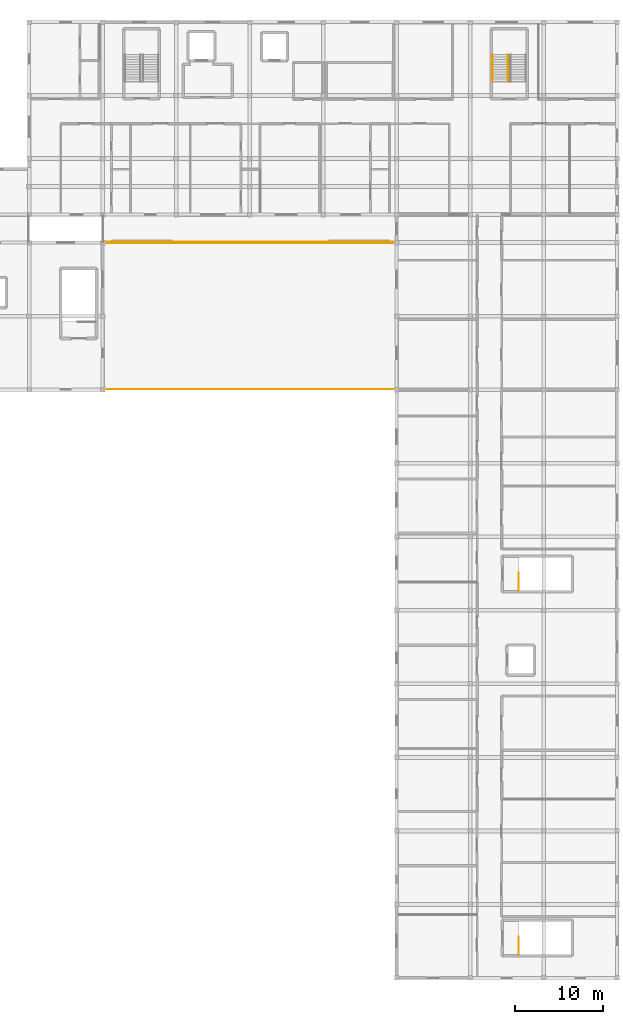
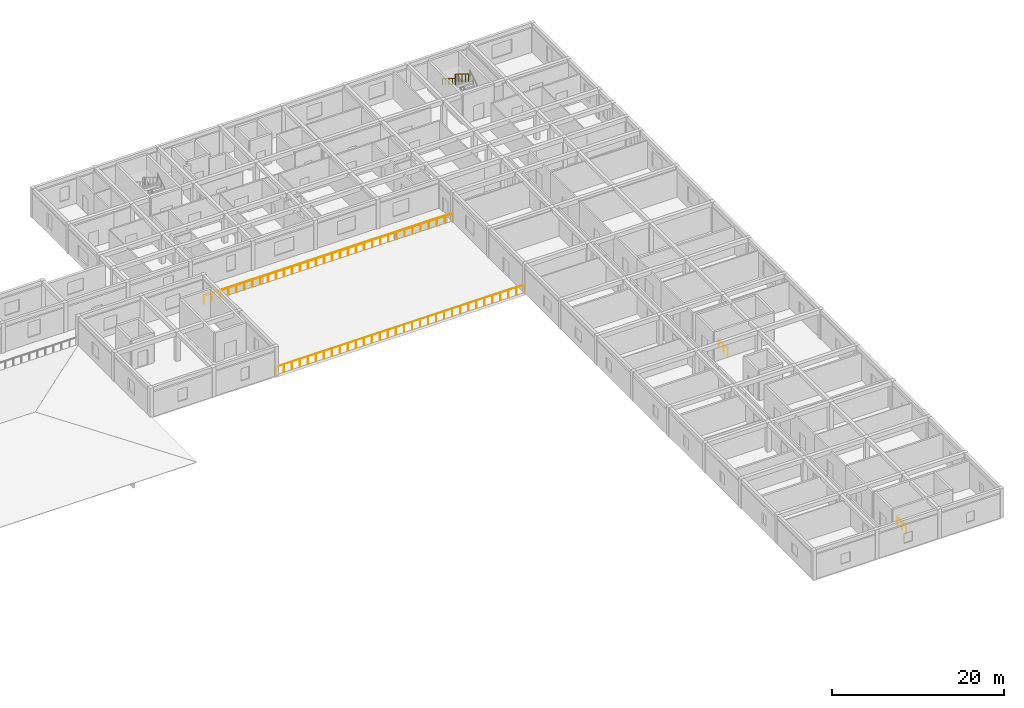
# One storey, part 27 of 28: 7 railings.
"""IFC4 building model written with IfcOpenShell, lengths in metres."""

from ifc_helpers import new_model, si_unit, direction, frame, origin, origin_2d, place, context, subcontext, project, spatial, circle, extrude, material, type_object, element, save


model = new_model("IFC4")

# Units and contexts
model_context = context("Model", 3, precision=1e-05, world=origin(), true_north=direction((0.0, 1.0)))
body_context = subcontext(model_context, "Body", "Model", "MODEL_VIEW")
ifc_project = project(units=[si_unit("LENGTHUNIT", "METRE"), si_unit("AREAUNIT", "SQUARE_METRE"), si_unit("VOLUMEUNIT", "CUBIC_METRE"), si_unit("PLANEANGLEUNIT", "RADIAN"), si_unit("MASSUNIT", "GRAM", prefix="KILO")], contexts=[model_context])

# Site, building, storey
site_placement = place(None, origin())
site = spatial("IfcSite", under=ifc_project, at=site_placement, CompositionType="ELEMENT")
building_placement = place(site_placement, origin())
building = spatial("IfcBuilding", under=site, at=building_placement, Name="Varncliffe General Hospital", CompositionType="ELEMENT")
storey_placement = place(building_placement, frame((0.0, 0.0, 24.60009765625)))
storey = spatial("IfcBuildingStorey", under=building, at=storey_placement, Name="L05", CompositionType="ELEMENT", Elevation=24.60009765625)

# Railings
ifc_material_1 = material(Name="Powder-coated wrought-iron and bronze balustrade", Category="steel")
railing_type_1 = type_object("IfcRailingType", Name="Perimeter Safety Guardrail GR27", PredefinedType="GUARDRAIL", material=ifc_material_1)
railing_1_placement = place(storey_placement, frame((117.679931640625, 82.860107421875, 0.0)))
element("IfcRailing", 1, at=railing_1_placement, inside=storey, type_object=railing_type_1, Name="L05 Emergency Rooftop Helipad Deck Safety Guardrail 7", PredefinedType="GUARDRAIL", context=body_context, shape_type="SweptSolid", body=[
    extrude(circle(Radius=0.02392578125, at=origin_2d()), frame((0.0, 0.0, 1.09619140625), z_axis=(1.0, 0.0, 0.0), x_axis=(0.0, 1.0, 0.0)), (0.0, 0.0, 1.0), 33.440185546875),
    extrude(circle(Radius=0.02099609375, at=origin_2d()), origin(), (0.0, 0.0, 1.0), 1.072021484375),
    extrude(circle(Radius=0.02099609375, at=origin_2d()), frame((1.07861328125, 0.0, 0.0)), (0.0, 0.0, 1.0), 1.072021484375),
    extrude(circle(Radius=0.02099609375, at=origin_2d()), frame((2.157470703125, 0.0, 0.0)), (0.0, 0.0, 1.0), 1.072021484375),
    extrude(circle(Radius=0.02099609375, at=origin_2d()), frame((3.236083984375, 0.0, 0.0)), (0.0, 0.0, 1.0), 1.072021484375),
    extrude(circle(Radius=0.02099609375, at=origin_2d()), frame((4.31494140625, 0.0, 0.0)), (0.0, 0.0, 1.0), 1.072021484375),
    extrude(circle(Radius=0.02099609375, at=origin_2d()), frame((5.3935546875, 0.0, 0.0)), (0.0, 0.0, 1.0), 1.072021484375),
    extrude(circle(Radius=0.02099609375, at=origin_2d()), frame((6.472412109375, 0.0, 0.0)), (0.0, 0.0, 1.0), 1.072021484375),
    extrude(circle(Radius=0.02099609375, at=origin_2d()), frame((7.551025390625, 0.0, 0.0)), (0.0, 0.0, 1.0), 1.072021484375),
    extrude(circle(Radius=0.02099609375, at=origin_2d()), frame((8.629638671875, 0.0, 0.0)), (0.0, 0.0, 1.0), 1.072021484375),
    extrude(circle(Radius=0.02099609375, at=origin_2d()), frame((9.70849609375, 0.0, 0.0)), (0.0, 0.0, 1.0), 1.072021484375),
    extrude(circle(Radius=0.02099609375, at=origin_2d()), frame((10.787109375, 0.0, 0.0)), (0.0, 0.0, 1.0), 1.072021484375),
    extrude(circle(Radius=0.02099609375, at=origin_2d()), frame((11.865966796875, 0.0, 0.0)), (0.0, 0.0, 1.0), 1.072021484375),
    extrude(circle(Radius=0.02099609375, at=origin_2d()), frame((12.944580078125, 0.0, 0.0)), (0.0, 0.0, 1.0), 1.072021484375),
    extrude(circle(Radius=0.02099609375, at=origin_2d()), frame((14.023193359375, 0.0, 0.0)), (0.0, 0.0, 1.0), 1.072021484375),
    extrude(circle(Radius=0.02099609375, at=origin_2d()), frame((15.10205078125, 0.0, 0.0)), (0.0, 0.0, 1.0), 1.072021484375),
    extrude(circle(Radius=0.02099609375, at=origin_2d()), frame((16.1806640625, 0.0, 0.0)), (0.0, 0.0, 1.0), 1.072021484375),
    extrude(circle(Radius=0.02099609375, at=origin_2d()), frame((17.259521484375, 0.0, 0.0)), (0.0, 0.0, 1.0), 1.072021484375),
    extrude(circle(Radius=0.02099609375, at=origin_2d()), frame((18.338134765625, 0.0, 0.0)), (0.0, 0.0, 1.0), 1.072021484375),
    extrude(circle(Radius=0.02099609375, at=origin_2d()), frame((19.4169921875, 0.0, 0.0)), (0.0, 0.0, 1.0), 1.072021484375),
    extrude(circle(Radius=0.02099609375, at=origin_2d()), frame((20.49560546875, 0.0, 0.0)), (0.0, 0.0, 1.0), 1.072021484375),
    extrude(circle(Radius=0.02099609375, at=origin_2d()), frame((21.57421875, 0.0, 0.0)), (0.0, 0.0, 1.0), 1.072021484375),
    extrude(circle(Radius=0.02099609375, at=origin_2d()), frame((22.653076171875, 0.0, 0.0)), (0.0, 0.0, 1.0), 1.072021484375),
    extrude(circle(Radius=0.02099609375, at=origin_2d()), frame((23.731689453125, 0.0, 0.0)), (0.0, 0.0, 1.0), 1.072021484375),
    extrude(circle(Radius=0.02099609375, at=origin_2d()), frame((24.810546875, 0.0, 0.0)), (0.0, 0.0, 1.0), 1.072021484375),
    extrude(circle(Radius=0.02099609375, at=origin_2d()), frame((25.88916015625, 0.0, 0.0)), (0.0, 0.0, 1.0), 1.072021484375),
    extrude(circle(Radius=0.02099609375, at=origin_2d()), frame((26.9677734375, 0.0, 0.0)), (0.0, 0.0, 1.0), 1.072021484375),
    extrude(circle(Radius=0.02099609375, at=origin_2d()), frame((28.046630859375, 0.0, 0.0)), (0.0, 0.0, 1.0), 1.072021484375),
    extrude(circle(Radius=0.02099609375, at=origin_2d()), frame((29.125244140625, 0.0, 0.0)), (0.0, 0.0, 1.0), 1.072021484375),
    extrude(circle(Radius=0.02099609375, at=origin_2d()), frame((30.2041015625, 0.0, 0.0)), (0.0, 0.0, 1.0), 1.072021484375),
    extrude(circle(Radius=0.02099609375, at=origin_2d()), frame((31.28271484375, 0.0, 0.0)), (0.0, 0.0, 1.0), 1.072021484375),
    extrude(circle(Radius=0.02099609375, at=origin_2d()), frame((32.361572265625, 0.0, 0.0)), (0.0, 0.0, 1.0), 1.072021484375),
    extrude(circle(Radius=0.02099609375, at=origin_2d()), frame((33.440185546875, 0.0, 0.0)), (0.0, 0.0, 1.0), 1.072021484375),
])
railing_2_placement = place(storey_placement, frame((151.1201171875, 99.5400390625, 0.0)))
element("IfcRailing", 2, at=railing_2_placement, inside=storey, type_object=railing_type_1, Name="L05 Emergency Rooftop Helipad Deck Safety Guardrail 8", PredefinedType="GUARDRAIL", context=body_context, shape_type="SweptSolid", body=[
    extrude(circle(Radius=0.02392578125, at=origin_2d()), frame((0.0, 0.0, 1.09619140625), z_axis=(-1.0, 0.0, 0.0), x_axis=(0.0, -1.0, 0.0)), (0.0, 0.0, 1.0), 33.440185546875),
    extrude(circle(Radius=0.02099609375, at=origin_2d()), origin(), (0.0, 0.0, 1.0), 1.072021484375),
    extrude(circle(Radius=0.02099609375, at=origin_2d()), frame((-1.07861328125, 0.0, 0.0)), (0.0, 0.0, 1.0), 1.072021484375),
    extrude(circle(Radius=0.02099609375, at=origin_2d()), frame((-2.157470703125, 0.0, 0.0)), (0.0, 0.0, 1.0), 1.072021484375),
    extrude(circle(Radius=0.02099609375, at=origin_2d()), frame((-3.236083984375, 0.0, 0.0)), (0.0, 0.0, 1.0), 1.072021484375),
    extrude(circle(Radius=0.02099609375, at=origin_2d()), frame((-4.31494140625, 0.0, 0.0)), (0.0, 0.0, 1.0), 1.072021484375),
    extrude(circle(Radius=0.02099609375, at=origin_2d()), frame((-5.3935546875, 0.0, 0.0)), (0.0, 0.0, 1.0), 1.072021484375),
    extrude(circle(Radius=0.02099609375, at=origin_2d()), frame((-6.472412109375, 0.0, 0.0)), (0.0, 0.0, 1.0), 1.072021484375),
    extrude(circle(Radius=0.02099609375, at=origin_2d()), frame((-7.551025390625, 0.0, 0.0)), (0.0, 0.0, 1.0), 1.072021484375),
    extrude(circle(Radius=0.02099609375, at=origin_2d()), frame((-8.629638671875, 0.0, 0.0)), (0.0, 0.0, 1.0), 1.072021484375),
    extrude(circle(Radius=0.02099609375, at=origin_2d()), frame((-9.70849609375, 0.0, 0.0)), (0.0, 0.0, 1.0), 1.072021484375),
    extrude(circle(Radius=0.02099609375, at=origin_2d()), frame((-10.787109375, 0.0, 0.0)), (0.0, 0.0, 1.0), 1.072021484375),
    extrude(circle(Radius=0.02099609375, at=origin_2d()), frame((-11.865966796875, 0.0, 0.0)), (0.0, 0.0, 1.0), 1.072021484375),
    extrude(circle(Radius=0.02099609375, at=origin_2d()), frame((-12.944580078125, 0.0, 0.0)), (0.0, 0.0, 1.0), 1.072021484375),
    extrude(circle(Radius=0.02099609375, at=origin_2d()), frame((-14.023193359375, 0.0, 0.0)), (0.0, 0.0, 1.0), 1.072021484375),
    extrude(circle(Radius=0.02099609375, at=origin_2d()), frame((-15.10205078125, 0.0, 0.0)), (0.0, 0.0, 1.0), 1.072021484375),
    extrude(circle(Radius=0.02099609375, at=origin_2d()), frame((-16.1806640625, 0.0, 0.0)), (0.0, 0.0, 1.0), 1.072021484375),
    extrude(circle(Radius=0.02099609375, at=origin_2d()), frame((-17.259521484375, 0.0, 0.0)), (0.0, 0.0, 1.0), 1.072021484375),
    extrude(circle(Radius=0.02099609375, at=origin_2d()), frame((-18.338134765625, 0.0, 0.0)), (0.0, 0.0, 1.0), 1.072021484375),
    extrude(circle(Radius=0.02099609375, at=origin_2d()), frame((-19.4169921875, 0.0, 0.0)), (0.0, 0.0, 1.0), 1.072021484375),
    extrude(circle(Radius=0.02099609375, at=origin_2d()), frame((-20.49560546875, 0.0, 0.0)), (0.0, 0.0, 1.0), 1.072021484375),
    extrude(circle(Radius=0.02099609375, at=origin_2d()), frame((-21.57421875, 0.0, 0.0)), (0.0, 0.0, 1.0), 1.072021484375),
    extrude(circle(Radius=0.02099609375, at=origin_2d()), frame((-22.653076171875, 0.0, 0.0)), (0.0, 0.0, 1.0), 1.072021484375),
    extrude(circle(Radius=0.02099609375, at=origin_2d()), frame((-23.731689453125, 0.0, 0.0)), (0.0, 0.0, 1.0), 1.072021484375),
    extrude(circle(Radius=0.02099609375, at=origin_2d()), frame((-24.810546875, 0.0, 0.0)), (0.0, 0.0, 1.0), 1.072021484375),
    extrude(circle(Radius=0.02099609375, at=origin_2d()), frame((-25.88916015625, 0.0, 0.0)), (0.0, 0.0, 1.0), 1.072021484375),
    extrude(circle(Radius=0.02099609375, at=origin_2d()), frame((-26.9677734375, 0.0, 0.0)), (0.0, 0.0, 1.0), 1.072021484375),
    extrude(circle(Radius=0.02099609375, at=origin_2d()), frame((-28.046630859375, 0.0, 0.0)), (0.0, 0.0, 1.0), 1.072021484375),
    extrude(circle(Radius=0.02099609375, at=origin_2d()), frame((-29.125244140625, 0.0, 0.0)), (0.0, 0.0, 1.0), 1.072021484375),
    extrude(circle(Radius=0.02099609375, at=origin_2d()), frame((-30.2041015625, 0.0, 0.0)), (0.0, 0.0, 1.0), 1.072021484375),
    extrude(circle(Radius=0.02099609375, at=origin_2d()), frame((-31.28271484375, 0.0, 0.0)), (0.0, 0.0, 1.0), 1.072021484375),
    extrude(circle(Radius=0.02099609375, at=origin_2d()), frame((-32.361572265625, 0.0, 0.0)), (0.0, 0.0, 1.0), 1.072021484375),
    extrude(circle(Radius=0.02099609375, at=origin_2d()), frame((-33.440185546875, 0.0, 0.0)), (0.0, 0.0, 1.0), 1.072021484375),
])
railing_type_2 = type_object("IfcRailingType", Name="Spanish Colonial Wrought-Iron Terrace Balustrade BL44", PredefinedType="BALUSTRADE", material=ifc_material_1)
railing_3_placement = place(storey_placement, frame((117.679931640625, 99.659912109375, 0.0)))
element("IfcRailing", 3, at=railing_3_placement, inside=storey, type_object=railing_type_2, Name="L05 East Step-1 Healing Roof Terrace Balustrade 5", PredefinedType="BALUSTRADE", context=body_context, shape_type="SweptSolid", body=[
    extrude(circle(Radius=0.02392578125, at=origin_2d()), frame((0.0, 0.0, 1.076171875), z_axis=(1.0, 0.0, 0.0), x_axis=(0.0, 1.0, 0.0)), (0.0, 0.0, 1.0), 33.440185546875),
    extrude(circle(Radius=0.02099609375, at=origin_2d()), origin(), (0.0, 0.0, 1.0), 1.052001953125),
    extrude(circle(Radius=0.02099609375, at=origin_2d()), frame((1.07861328125, 0.0, 0.0)), (0.0, 0.0, 1.0), 1.052001953125),
    extrude(circle(Radius=0.02099609375, at=origin_2d()), frame((2.157470703125, 0.0, 0.0)), (0.0, 0.0, 1.0), 1.052001953125),
    extrude(circle(Radius=0.02099609375, at=origin_2d()), frame((3.236083984375, 0.0, 0.0)), (0.0, 0.0, 1.0), 1.052001953125),
    extrude(circle(Radius=0.02099609375, at=origin_2d()), frame((4.31494140625, 0.0, 0.0)), (0.0, 0.0, 1.0), 1.052001953125),
    extrude(circle(Radius=0.02099609375, at=origin_2d()), frame((5.3935546875, 0.0, 0.0)), (0.0, 0.0, 1.0), 1.052001953125),
    extrude(circle(Radius=0.02099609375, at=origin_2d()), frame((6.472412109375, 0.0, 0.0)), (0.0, 0.0, 1.0), 1.052001953125),
    extrude(circle(Radius=0.02099609375, at=origin_2d()), frame((7.551025390625, 0.0, 0.0)), (0.0, 0.0, 1.0), 1.052001953125),
    extrude(circle(Radius=0.02099609375, at=origin_2d()), frame((8.629638671875, 0.0, 0.0)), (0.0, 0.0, 1.0), 1.052001953125),
    extrude(circle(Radius=0.02099609375, at=origin_2d()), frame((9.70849609375, 0.0, 0.0)), (0.0, 0.0, 1.0), 1.052001953125),
    extrude(circle(Radius=0.02099609375, at=origin_2d()), frame((10.787109375, 0.0, 0.0)), (0.0, 0.0, 1.0), 1.052001953125),
    extrude(circle(Radius=0.02099609375, at=origin_2d()), frame((11.865966796875, 0.0, 0.0)), (0.0, 0.0, 1.0), 1.052001953125),
    extrude(circle(Radius=0.02099609375, at=origin_2d()), frame((12.944580078125, 0.0, 0.0)), (0.0, 0.0, 1.0), 1.052001953125),
    extrude(circle(Radius=0.02099609375, at=origin_2d()), frame((14.023193359375, 0.0, 0.0)), (0.0, 0.0, 1.0), 1.052001953125),
    extrude(circle(Radius=0.02099609375, at=origin_2d()), frame((15.10205078125, 0.0, 0.0)), (0.0, 0.0, 1.0), 1.052001953125),
    extrude(circle(Radius=0.02099609375, at=origin_2d()), frame((16.1806640625, 0.0, 0.0)), (0.0, 0.0, 1.0), 1.052001953125),
    extrude(circle(Radius=0.02099609375, at=origin_2d()), frame((17.259521484375, 0.0, 0.0)), (0.0, 0.0, 1.0), 1.052001953125),
    extrude(circle(Radius=0.02099609375, at=origin_2d()), frame((18.338134765625, 0.0, 0.0)), (0.0, 0.0, 1.0), 1.052001953125),
    extrude(circle(Radius=0.02099609375, at=origin_2d()), frame((19.4169921875, 0.0, 0.0)), (0.0, 0.0, 1.0), 1.052001953125),
    extrude(circle(Radius=0.02099609375, at=origin_2d()), frame((20.49560546875, 0.0, 0.0)), (0.0, 0.0, 1.0), 1.052001953125),
    extrude(circle(Radius=0.02099609375, at=origin_2d()), frame((21.57421875, 0.0, 0.0)), (0.0, 0.0, 1.0), 1.052001953125),
    extrude(circle(Radius=0.02099609375, at=origin_2d()), frame((22.653076171875, 0.0, 0.0)), (0.0, 0.0, 1.0), 1.052001953125),
    extrude(circle(Radius=0.02099609375, at=origin_2d()), frame((23.731689453125, 0.0, 0.0)), (0.0, 0.0, 1.0), 1.052001953125),
    extrude(circle(Radius=0.02099609375, at=origin_2d()), frame((24.810546875, 0.0, 0.0)), (0.0, 0.0, 1.0), 1.052001953125),
    extrude(circle(Radius=0.02099609375, at=origin_2d()), frame((25.88916015625, 0.0, 0.0)), (0.0, 0.0, 1.0), 1.052001953125),
    extrude(circle(Radius=0.02099609375, at=origin_2d()), frame((26.9677734375, 0.0, 0.0)), (0.0, 0.0, 1.0), 1.052001953125),
    extrude(circle(Radius=0.02099609375, at=origin_2d()), frame((28.046630859375, 0.0, 0.0)), (0.0, 0.0, 1.0), 1.052001953125),
    extrude(circle(Radius=0.02099609375, at=origin_2d()), frame((29.125244140625, 0.0, 0.0)), (0.0, 0.0, 1.0), 1.052001953125),
    extrude(circle(Radius=0.02099609375, at=origin_2d()), frame((30.2041015625, 0.0, 0.0)), (0.0, 0.0, 1.0), 1.052001953125),
    extrude(circle(Radius=0.02099609375, at=origin_2d()), frame((31.28271484375, 0.0, 0.0)), (0.0, 0.0, 1.0), 1.052001953125),
    extrude(circle(Radius=0.02099609375, at=origin_2d()), frame((32.361572265625, 0.0, 0.0)), (0.0, 0.0, 1.0), 1.052001953125),
    extrude(circle(Radius=0.02099609375, at=origin_2d()), frame((33.440185546875, 0.0, 0.0)), (0.0, 0.0, 1.0), 1.052001953125),
])
ifc_material_2 = material(Name="Powder-coated hospital steel guardrail and handrail", Category="steel")
railing_type_3 = type_object("IfcRailingType", Name="Stair and Ramp Handrail HR46", PredefinedType="HANDRAIL", material=ifc_material_2)
railing_4_placement = place(storey_placement, frame((162.14990234375, 121.080078125, 2.453857421875)))
element("IfcRailing", 4, at=railing_4_placement, inside=storey, type_object=railing_type_3, Name="L05 ST04 stair handrail 2", PredefinedType="HANDRAIL", context=body_context, shape_type="SweptSolid", body=[
    extrude(circle(Radius=0.02392578125, at=origin_2d()), frame((0.0, 0.0, 0.8759765625), z_axis=(0.0, -0.847998304005, 0.529998940003), x_axis=(1.0, 0.0, 0.0)), (0.0, 0.0, 1.0), 3.632080078125),
    extrude(circle(Radius=0.02099609375, at=origin_2d()), origin(), (0.0, 0.0, 1.0), 0.851806640625),
    extrude(circle(Radius=0.02099609375, at=origin_2d()), frame((0.0, -0.77001953125, 0.481201171875)), (0.0, 0.0, 1.0), 0.851806640625),
    extrude(circle(Radius=0.02099609375, at=origin_2d()), frame((0.0, -1.5400390625, 0.96240234375)), (0.0, 0.0, 1.0), 0.851806640625),
    extrude(circle(Radius=0.02099609375, at=origin_2d()), frame((0.0, -2.31005859375, 1.44384765625)), (0.0, 0.0, 1.0), 0.851806640625),
    extrude(circle(Radius=0.02099609375, at=origin_2d()), frame((0.0, -3.080078125, 1.925048828125)), (0.0, 0.0, 1.0), 0.851806640625),
])
railing_type_4 = type_object("IfcRailingType", Name="Stairwell Guardrail SG49", PredefinedType="GUARDRAIL", material=ifc_material_2)
railing_5_placement = place(storey_placement, frame((163.89990234375, 121.080078125, 2.27490234375)))
element("IfcRailing", 5, at=railing_5_placement, inside=storey, type_object=railing_type_4, Name="L05 ST04 stair guard 3", PredefinedType="GUARDRAIL", context=body_context, shape_type="SweptSolid", body=[
    extrude(circle(Radius=0.02392578125, at=origin_2d()), frame((0.0, 0.0, 1.076171875), z_axis=(0.0, -0.847998304005, 0.529998940003), x_axis=(1.0, 0.0, 0.0)), (0.0, 0.0, 1.0), 3.632080078125),
    extrude(circle(Radius=0.02099609375, at=origin_2d()), origin(), (0.0, 0.0, 1.0), 1.052001953125),
    extrude(circle(Radius=0.02099609375, at=origin_2d()), frame((0.0, -0.77001953125, 0.481201171875)), (0.0, 0.0, 1.0), 1.052001953125),
    extrude(circle(Radius=0.02099609375, at=origin_2d()), frame((0.0, -1.5400390625, 0.96240234375)), (0.0, 0.0, 1.0), 1.052001953125),
    extrude(circle(Radius=0.02099609375, at=origin_2d()), frame((0.0, -2.31005859375, 1.44384765625)), (0.0, 0.0, 1.0), 1.052001953125),
    extrude(circle(Radius=0.02099609375, at=origin_2d()), frame((0.0, -3.080078125, 1.925048828125)), (0.0, 0.0, 1.0), 1.052001953125),
])
for number, where, name in (
    (6, (165.14990234375, 59.800048828125, 0.0), "L05 ST07 top well guard 1"),
    (7, (165.14990234375, 18.199951171875, 0.0), "L05 ST11 top well guard 1"),
):
    element("IfcRailing", number, at=place(storey_placement, frame(where)), inside=storey, type_object=railing_type_4, Name=name, PredefinedType="GUARDRAIL", context=body_context, shape_type="SweptSolid", body=[
        extrude(circle(Radius=0.02392578125, at=origin_2d()), frame((0.0, 0.0, 1.076171875), z_axis=(0.0, 1.0, 0.0), x_axis=(-1.0, 0.0, 0.0)), (0.0, 0.0, 1.0), 2.050048828125),
        extrude(circle(Radius=0.02099609375, at=origin_2d()), origin(), (0.0, 0.0, 1.0), 1.052001953125),
        extrude(circle(Radius=0.02099609375, at=origin_2d()), frame((0.0, 1.02490234375, 0.0)), (0.0, 0.0, 1.0), 1.052001953125),
        extrude(circle(Radius=0.02099609375, at=origin_2d()), frame((0.0, 2.050048828125, 0.0)), (0.0, 0.0, 1.0), 1.052001953125),
    ])

save(model, "model.ifc")
